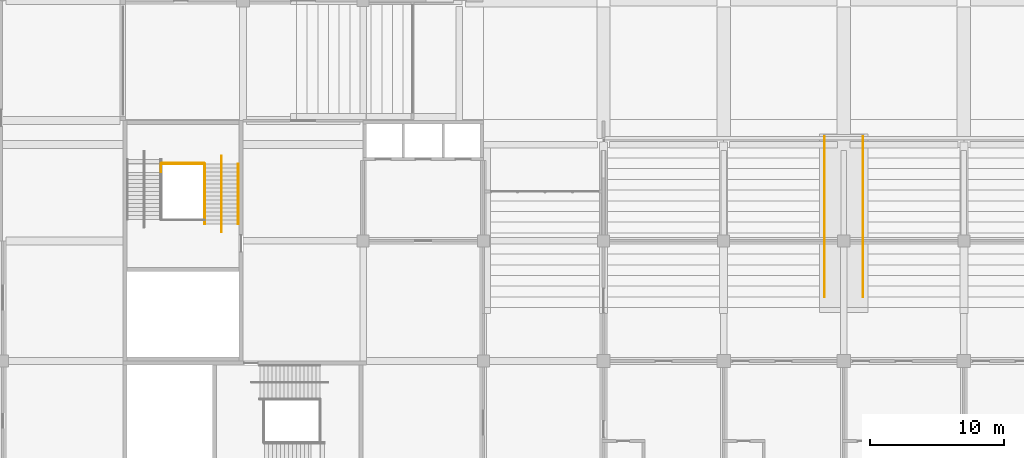
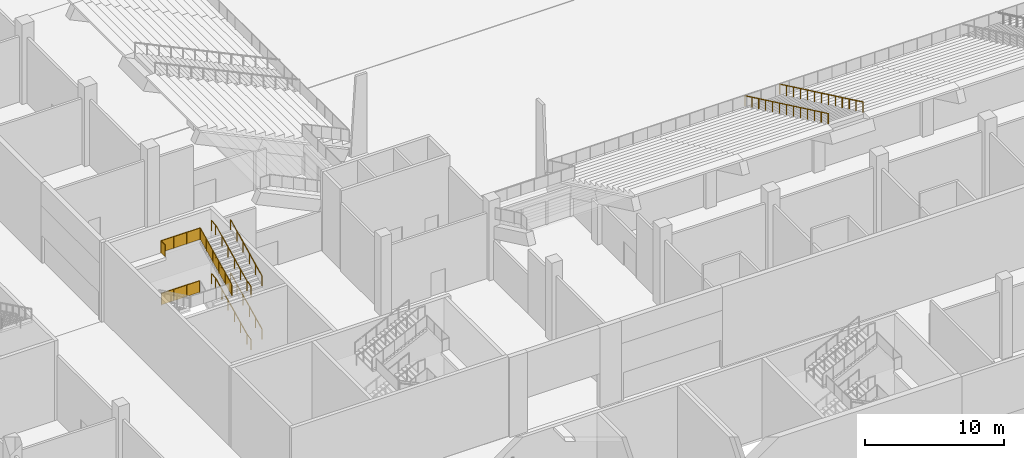
# One storey, part 60 of 92: 10 railings.
"""IFC4 building model written with IfcOpenShell, lengths in metres."""

import ifcopenshell
import ifcopenshell.guid

model = None  # the IFC model being written
_history = None  # IfcOwnerHistory: only IFC2X3 demands one
_inside = {}  # id of a spatial element -> (the spatial element, [elements in it])
_under = {}  # id of a project, library or spatial element -> (it, [spatial elements below it])
_declared = {}  # id of a project -> (the project, [libraries it declares])
_typed = {}  # id of a type object -> (the type object, [elements of that type])
_made_of = {}  # id of a material, layer set ... -> (it, [elements and type objects made of it])


def new_model(schema):
    """Start an empty IFC model of exactly this schema.

    Asked for "IFC4X3", IfcOpenShell would pick the latest addendum, in which some entities
    have other attributes; the version numbers below select the first issue.
    IFC2X3 requires an IfcOwnerHistory on every rooted entity: one is made here for all.
    """
    global model, _history
    if schema == "IFC4X3":
        model = ifcopenshell.file(schema_version=(4, 3, 0, 0))
    else:
        model = ifcopenshell.file(schema=schema)
    _inside.clear()
    _under.clear()
    _declared.clear()
    _typed.clear()
    _made_of.clear()
    _history = None
    if model.schema == "IFC2X3":
        org = make("IfcOrganization", Name="unknown")
        user = make(
            "IfcPersonAndOrganization",
            ThePerson=make("IfcPerson", FamilyName="unknown"),
            TheOrganization=org,
        )
        app = make(
            "IfcApplication",
            ApplicationDeveloper=org,
            Version="unknown",
            ApplicationFullName="unknown",
            ApplicationIdentifier="unknown",
        )
        _history = make(
            "IfcOwnerHistory",
            OwningUser=user,
            OwningApplication=app,
            ChangeAction="ADDED",
            CreationDate=0,
        )
    return model


def make(cls, **values):
    """One entity of the class cls with the attributes given. An attribute that is None is left unset."""
    return model.create_entity(
        cls, **{name: value for name, value in values.items() if value is not None}
    )


def rooted(cls, **values):
    """An entity with a GlobalId (a new one), such as an element, a storey or a relation."""
    return make(cls, GlobalId=ifcopenshell.guid.new(), OwnerHistory=_history, **values)


def si_unit(unit_type, name, prefix=None):
    """IfcSIUnit, for example si_unit("LENGTHUNIT", "METRE", prefix="MILLI")."""
    return make("IfcSIUnit", UnitType=unit_type, Prefix=prefix, Name=name)


def assignment(units):
    """IfcUnitAssignment: the units of a project."""
    return None if units is None else make("IfcUnitAssignment", Units=units)


def point(xyz):
    """IfcCartesianPoint."""
    return None if xyz is None else make("IfcCartesianPoint", Coordinates=xyz)


def direction(xyz):
    """IfcDirection."""
    return None if xyz is None else make("IfcDirection", DirectionRatios=xyz)


def frame(location, z_axis=None, x_axis=None):
    """IfcAxis2Placement3D, a coordinate frame: its origin and axes. An axis left out is left unset."""
    return make(
        "IfcAxis2Placement3D",
        Location=point(location),
        Axis=direction(z_axis),
        RefDirection=direction(x_axis),
    )


def frame_2d(location, x_axis=None):
    """IfcAxis2Placement2D, a coordinate frame in the plane: its origin and x axis."""
    return make(
        "IfcAxis2Placement2D", Location=point(location), RefDirection=direction(x_axis)
    )


def origin():
    """The frame at (0, 0, 0) with its axes left unset."""
    return frame((0.0, 0.0, 0.0))


def origin_2d():
    """The frame at (0, 0) in the plane with its x axis left unset."""
    return frame_2d((0.0, 0.0))


def place(relative_to, where):
    """IfcLocalPlacement: puts the frame where relative to a parent placement (None: the world)."""
    return make(
        "IfcLocalPlacement", PlacementRelTo=relative_to, RelativePlacement=where
    )


def context(
    kind, dimensions, precision=None, world=None, true_north=None, identifier=None
):
    """IfcGeometricRepresentationContext, for example the 3D "Model" context."""
    return make(
        "IfcGeometricRepresentationContext",
        ContextIdentifier=identifier,
        ContextType=kind,
        CoordinateSpaceDimension=dimensions,
        Precision=precision,
        WorldCoordinateSystem=world,
        TrueNorth=true_north,
    )


def subcontext(parent, identifier, kind, view, scale=None):
    """IfcGeometricRepresentationSubContext, for example "Body" below "Model"."""
    return make(
        "IfcGeometricRepresentationSubContext",
        ContextIdentifier=identifier,
        ContextType=kind,
        ParentContext=parent,
        TargetScale=scale,
        TargetView=view,
    )


def project(units=None, contexts=None):
    """IfcProject with its units and contexts."""
    return rooted(
        "IfcProject",
        Name="project",
        RepresentationContexts=contexts,
        UnitsInContext=assignment(units),
    )


def spatial(cls, under=None, at=None, **own):
    """A site, building, storey or space (cls), placed at a placement, below another one or the project."""
    s = rooted(cls, ObjectPlacement=at, **own)
    if under is not None:
        _under.setdefault(under.id(), (under, []))[1].append(s)
    return s


def polyline(points):
    """IfcPolyline through the points."""
    return make("IfcPolyline", Points=[point(p) for p in points])


def profile(cls, at=None, kind="AREA", **sizes):
    """A parametric profile (cls). Its sizes go by their IFC names, for example OverallWidth=200.0."""
    return make(cls, ProfileType=kind, Position=at, **sizes)


def circle(**sizes):
    """IfcCircleProfileDef."""
    return profile("IfcCircleProfileDef", **sizes)


def outline(outer, holes=None, kind="AREA"):
    """IfcArbitraryClosedProfileDef: a profile drawn as a closed curve; with holes, ...WithVoids."""
    if holes is None:
        return make("IfcArbitraryClosedProfileDef", ProfileType=kind, OuterCurve=outer)
    return make(
        "IfcArbitraryProfileDefWithVoids",
        ProfileType=kind,
        OuterCurve=outer,
        InnerCurves=holes,
    )


def extrude(swept, where, along, depth):
    """IfcExtrudedAreaSolid: the profile swept, set in the frame where, extruded along a direction by depth."""
    return make(
        "IfcExtrudedAreaSolid",
        SweptArea=swept,
        Position=where,
        ExtrudedDirection=direction(along),
        Depth=depth,
    )


def shape(context_of_items, identifier, shape_type, items):
    """IfcShapeRepresentation: the items that make up one representation, for example the "Body"."""
    return make(
        "IfcShapeRepresentation",
        ContextOfItems=context_of_items,
        RepresentationIdentifier=identifier,
        RepresentationType=shape_type,
        Items=items,
    )


def material(Name=None, Category=None):
    """IfcMaterial."""
    return make("IfcMaterial", Name=Name, Category=Category)


def made_of(thing, what):
    """Note that an element or type object is made of a material, layer set ...; save() writes the relation."""
    if what is not None:
        _made_of.setdefault(what.id(), (what, []))[1].append(thing)
    return thing


def type_object(cls, material=None, **own):
    """A type object (cls), such as IfcWallType, which elements share."""
    return made_of(rooted(cls, **own), material)


def element(
    cls,
    number,
    at=None,
    inside=None,
    cuts=None,
    type_object=None,
    material=None,
    context=None,
    identifier="Body",
    shape_type=None,
    held_by="IfcProductDefinitionShape",
    body=None,
    shapes=None,
    **own,
):
    """One element of the class cls, such as IfcWall. Its Tag is "e" and its number.

    at: its placement. inside: the storey or other place that contains it. cuts: it is an
    opening in that element (IfcRelVoidsElement). A single representation is given by context,
    identifier, shape_type and body (its items); several are given by shapes. held_by: the class
    of the entity that holds the representations. save() writes the other relations.
    """
    e = rooted(cls, Tag="e%d" % number, ObjectPlacement=at, **own)
    if body is not None:
        shapes = [shape(context, identifier, shape_type, body)]
    if shapes is not None:
        e.Representation = make(held_by, Representations=shapes)
    if inside is not None:
        _inside.setdefault(inside.id(), (inside, []))[1].append(e)
    if cuts is not None:
        rooted(
            "IfcRelVoidsElement", RelatingBuildingElement=cuts, RelatedOpeningElement=e
        )
    if type_object is not None:
        _typed.setdefault(type_object.id(), (type_object, []))[1].append(e)
    return made_of(e, material)


def aggregate(whole, parts):
    """IfcRelAggregates: a whole, such as a stair, and the parts it consists of."""
    return rooted("IfcRelAggregates", RelatingObject=whole, RelatedObjects=parts)


def save(model, path):
    """Write the relations noted so far, then the file.

    IfcRelAggregates (storeys below a building ...), IfcRelContainedInSpatialStructure (elements
    in a storey), IfcRelDefinesByType, IfcRelAssociatesMaterial and IfcRelDeclares: one each for
    every whole, place, type object, material and project.
    """
    for whole, parts in _under.values():
        aggregate(whole, parts)
    for where, things in _inside.values():
        rooted(
            "IfcRelContainedInSpatialStructure",
            RelatedElements=things,
            RelatingStructure=where,
        )
    for kind, things in _typed.values():
        rooted("IfcRelDefinesByType", RelatedObjects=things, RelatingType=kind)
    for what, things in _made_of.values():
        rooted("IfcRelAssociatesMaterial", RelatedObjects=things, RelatingMaterial=what)
    for by, libraries in _declared.values():
        rooted("IfcRelDeclares", RelatingContext=by, RelatedDefinitions=libraries)
    model.write(path)


model = new_model("IFC4")

# Units and contexts
model_context = context("Model", 3, precision=1e-05, world=origin(), true_north=direction((0.0, 1.0)))
body_context = subcontext(model_context, "Body", "Model", "MODEL_VIEW")
ifc_project = project(units=[si_unit("LENGTHUNIT", "METRE"), si_unit("AREAUNIT", "SQUARE_METRE"), si_unit("VOLUMEUNIT", "CUBIC_METRE"), si_unit("PLANEANGLEUNIT", "RADIAN"), si_unit("MASSUNIT", "GRAM", prefix="KILO")], contexts=[model_context])

# Site, building, storey
site_placement = place(None, origin())
site = spatial("IfcSite", under=ifc_project, at=site_placement, CompositionType="ELEMENT")
building_placement = place(site_placement, origin())
building = spatial("IfcBuilding", under=site, at=building_placement, Name="Silverbay Arena", CompositionType="ELEMENT")
storey_placement = place(building_placement, origin())
storey = spatial("IfcBuildingStorey", under=building, at=storey_placement, Name="L00", CompositionType="ELEMENT", Elevation=0.0)

# Railings
ifc_material_1 = material(Name="Stainless steel", Category="steel")
railing_type_1 = type_object("IfcRailingType", Name="Stair guard 1100", PredefinedType="GUARDRAIL", material=ifc_material_1)
railing_1_placement = place(storey_placement, frame((78.125, 55.2568359375, 4.8125)))
element("IfcRailing", 1, at=railing_1_placement, inside=storey, type_object=railing_type_1, Name="Stair ST-SW2 L00 to L01 flight 3 guard right", PredefinedType="GUARDRAIL", context=body_context, shape_type="SweptSolid", body=[
    extrude(circle(Radius=0.02392578125, at=origin_2d()), frame((0.0, 0.0, 1.076171875), z_axis=(0.0, 0.899367854138, 0.437192706873), x_axis=(-1.0, 0.0, 0.0)), (0.0, 0.0, 1.0), 5.00341796875),
    extrude(outline(polyline([(-0.008056640625, 0.046142578125), (0.907958984375, 0.491455078125), (0.907958984375, 1.494384765625), (-0.008056640625, 1.049072265625), (-0.008056640625, 0.046142578125)])), frame((-0.0029296875, 0.0, 0.0), z_axis=(1.0, 0.0, 0.0), x_axis=(0.0, 1.0, 0.0)), (0.0, 0.0, 1.0), 0.006103515625),
    extrude(outline(polyline([(-0.008056640625, 0.483642578125), (0.907958984375, 0.928955078125), (0.907958984375, 1.931884765625), (-0.008056640625, 1.486572265625), (-0.008056640625, 0.483642578125)])), frame((-0.0029296875, 0.89990234375, 0.0), z_axis=(1.0, 0.0, 0.0), x_axis=(0.0, 1.0, 0.0)), (0.0, 0.0, 1.0), 0.006103515625),
    extrude(outline(polyline([(-0.008056640625, 0.921142578125), (0.907958984375, 1.366455078125), (0.907958984375, 2.369384765625), (-0.008056640625, 1.924072265625), (-0.008056640625, 0.921142578125)])), frame((-0.0029296875, 1.800048828125, 0.0), z_axis=(1.0, 0.0, 0.0), x_axis=(0.0, 1.0, 0.0)), (0.0, 0.0, 1.0), 0.006103515625),
    extrude(outline(polyline([(-0.008056640625, 1.358642578125), (0.907958984375, 1.803955078125), (0.907958984375, 2.806884765625), (-0.008056640625, 2.361572265625), (-0.008056640625, 1.358642578125)])), frame((-0.0029296875, 2.699951171875, 0.0), z_axis=(1.0, 0.0, 0.0), x_axis=(0.0, 1.0, 0.0)), (0.0, 0.0, 1.0), 0.006103515625),
    extrude(outline(polyline([(-0.008056640625, 1.796142578125), (0.907958984375, 2.241455078125), (0.907958984375, 3.244384765625), (-0.008056640625, 2.799072265625), (-0.008056640625, 1.796142578125)])), frame((-0.0029296875, 3.60009765625, 0.0), z_axis=(1.0, 0.0, 0.0), x_axis=(0.0, 1.0, 0.0)), (0.0, 0.0, 1.0), 0.006103515625),
    extrude(circle(Radius=0.02099609375, at=origin_2d()), origin(), (0.0, 0.0, 1.0), 1.052001953125),
    extrude(circle(Radius=0.02099609375, at=origin_2d()), frame((0.0, 0.89990234375, 0.4375)), (0.0, 0.0, 1.0), 1.052001953125),
    extrude(circle(Radius=0.02099609375, at=origin_2d()), frame((0.0, 1.800048828125, 0.875)), (0.0, 0.0, 1.0), 1.052001953125),
    extrude(circle(Radius=0.02099609375, at=origin_2d()), frame((0.0, 2.699951171875, 1.3125)), (0.0, 0.0, 1.0), 1.052001953125),
    extrude(circle(Radius=0.02099609375, at=origin_2d()), frame((0.0, 3.60009765625, 1.75)), (0.0, 0.0, 1.0), 1.052001953125),
    extrude(circle(Radius=0.02099609375, at=origin_2d()), frame((0.0, 4.5, 2.1875)), (0.0, 0.0, 1.0), 1.052001953125),
])
railing_2_placement = place(storey_placement, frame((78.10009765625, 59.806884765625, 2.333251953125)))
element("IfcRailing", 2, at=railing_2_placement, inside=storey, type_object=railing_type_1, Name="Stair ST-SW2 L00 to L01 landing 1 guard", PredefinedType="GUARDRAIL", context=body_context, shape_type="SweptSolid", body=[
    extrude(circle(Radius=0.02392578125, at=origin_2d()), frame((0.0, 0.0, 1.076171875), z_axis=(-1.0, 0.0, 0.0), x_axis=(0.0, -1.0, 0.0)), (0.0, 0.0, 1.0), 3.2001953125),
    extrude(outline(polyline([(-0.008056640625, 0.050048828125), (1.07470703125, 0.050048828125), (1.07470703125, 1.052978515625), (-0.008056640625, 1.052978515625), (-0.008056640625, 0.050048828125)])), frame((0.0, -0.0029296875, 0.0), z_axis=(0.0, 1.0, 0.0), x_axis=(-1.0, 0.0, 0.0)), (0.0, 0.0, 1.0), 0.006103515625),
    extrude(outline(polyline([(-0.008056640625, 0.050048828125), (1.07470703125, 0.050048828125), (1.07470703125, 1.052978515625), (-0.008056640625, 1.052978515625), (-0.008056640625, 0.050048828125)])), frame((-1.066650390625, -0.0029296875, 0.0), z_axis=(0.0, 1.0, 0.0), x_axis=(-1.0, 0.0, 0.0)), (0.0, 0.0, 1.0), 0.006103515625),
    extrude(outline(polyline([(-0.008056640625, 0.050048828125), (1.07470703125, 0.050048828125), (1.07470703125, 1.052978515625), (-0.008056640625, 1.052978515625), (-0.008056640625, 0.050048828125)])), frame((-2.133544921875, -0.0029296875, 0.0), z_axis=(0.0, 1.0, 0.0), x_axis=(-1.0, 0.0, 0.0)), (0.0, 0.0, 1.0), 0.006103515625),
    extrude(circle(Radius=0.02099609375, at=origin_2d()), origin(), (0.0, 0.0, 1.0), 1.052001953125),
    extrude(circle(Radius=0.02099609375, at=origin_2d()), frame((-1.066650390625, 0.0, 0.0)), (0.0, 0.0, 1.0), 1.052001953125),
    extrude(circle(Radius=0.02099609375, at=origin_2d()), frame((-2.133544921875, 0.0, 0.0)), (0.0, 0.0, 1.0), 1.052001953125),
    extrude(circle(Radius=0.02099609375, at=origin_2d()), frame((-3.2001953125, 0.0, 0.0)), (0.0, 0.0, 1.0), 1.052001953125),
])
railing_3_placement = place(storey_placement, frame((74.85009765625, 59.14990234375, 7.0)))
element("IfcRailing", 3, at=railing_3_placement, inside=storey, type_object=railing_type_1, Name="Stair ST-SW2 L00 to L01 landing 3 guard", PredefinedType="GUARDRAIL", context=body_context, shape_type="SweptSolid", body=[
    extrude(circle(Radius=0.02392578125, at=origin_2d()), frame((0.0, 0.0, 1.076171875), z_axis=(0.0, 1.0, 0.0), x_axis=(-1.0, 0.0, 0.0)), (0.0, 0.0, 1.0), 0.60693359375),
    extrude(outline(polyline([(-0.008056640625, 0.050048828125), (0.614990234375, 0.050048828125), (0.614990234375, 1.052978515625), (-0.008056640625, 1.052978515625), (-0.008056640625, 0.050048828125)])), frame((-0.0029296875, 0.0, 0.0), z_axis=(1.0, 0.0, 0.0), x_axis=(0.0, 1.0, 0.0)), (0.0, 0.0, 1.0), 0.006103515625),
    extrude(circle(Radius=0.02392578125, at=origin_2d()), frame((0.0, 0.60693359375, 1.076171875), z_axis=(1.0, 0.0, 0.0), x_axis=(0.0, 1.0, 0.0)), (0.0, 0.0, 1.0), 3.25),
    extrude(outline(polyline([(-0.008056640625, 0.050048828125), (1.09130859375, 0.050048828125), (1.09130859375, 1.052978515625), (-0.008056640625, 1.052978515625), (-0.008056640625, 0.050048828125)])), frame((0.0, 0.60986328125, 0.0), z_axis=(0.0, -1.0, 0.0), x_axis=(1.0, 0.0, 0.0)), (0.0, 0.0, 1.0), 0.006103515625),
    extrude(outline(polyline([(-0.008056640625, 0.050048828125), (1.09130859375, 0.050048828125), (1.09130859375, 1.052978515625), (-0.008056640625, 1.052978515625), (-0.008056640625, 0.050048828125)])), frame((1.083251953125, 0.60986328125, 0.0), z_axis=(0.0, -1.0, 0.0), x_axis=(1.0, 0.0, 0.0)), (0.0, 0.0, 1.0), 0.006103515625),
    extrude(outline(polyline([(-0.008056640625, 0.050048828125), (1.09130859375, 0.050048828125), (1.09130859375, 1.052978515625), (-0.008056640625, 1.052978515625), (-0.008056640625, 0.050048828125)])), frame((2.166748046875, 0.60986328125, 0.0), z_axis=(0.0, -1.0, 0.0), x_axis=(1.0, 0.0, 0.0)), (0.0, 0.0, 1.0), 0.006103515625),
    extrude(circle(Radius=0.02099609375, at=origin_2d()), origin(), (0.0, 0.0, 1.0), 1.052001953125),
    extrude(circle(Radius=0.02099609375, at=origin_2d()), frame((0.0, 0.60693359375, 0.0)), (0.0, 0.0, 1.0), 1.052001953125),
    extrude(circle(Radius=0.02099609375, at=origin_2d()), frame((1.083251953125, 0.60693359375, 0.0)), (0.0, 0.0, 1.0), 1.052001953125),
    extrude(circle(Radius=0.02099609375, at=origin_2d()), frame((2.166748046875, 0.60693359375, 0.0)), (0.0, 0.0, 1.0), 1.052001953125),
    extrude(circle(Radius=0.02099609375, at=origin_2d()), frame((3.25, 0.60693359375, 0.0)), (0.0, 0.0, 1.0), 1.052001953125),
])
ifc_material_2 = material(Name="Stainless steel", Category="steel")
railing_type_2 = type_object("IfcRailingType", Name="Stair handrail 900", PredefinedType="HANDRAIL", material=ifc_material_2)
railing_4_placement = place(storey_placement, frame((80.64990234375, 55.2568359375, 0.145751953125)))
element("IfcRailing", 4, at=railing_4_placement, inside=storey, type_object=railing_type_2, Name="Stair ST-SW2 L00 to L01 flight 1 handrail left", PredefinedType="HANDRAIL", context=body_context, shape_type="SweptSolid", body=[
    extrude(circle(Radius=0.02392578125, at=origin_2d()), frame((0.0, 0.0, 0.8759765625), z_axis=(0.0, 0.899367854138, 0.437192706873), x_axis=(-1.0, 0.0, 0.0)), (0.0, 0.0, 1.0), 5.00341796875),
    extrude(circle(Radius=0.02099609375, at=origin_2d()), origin(), (0.0, 0.0, 1.0), 0.851806640625),
    extrude(circle(Radius=0.02099609375, at=origin_2d()), frame((0.0, 0.89990234375, 0.4375)), (0.0, 0.0, 1.0), 0.851806640625),
    extrude(circle(Radius=0.02099609375, at=origin_2d()), frame((0.0, 1.800048828125, 0.875)), (0.0, 0.0, 1.0), 0.851806640625),
    extrude(circle(Radius=0.02099609375, at=origin_2d()), frame((0.0, 2.699951171875, 1.3125)), (0.0, 0.0, 1.0), 0.851806640625),
    extrude(circle(Radius=0.02099609375, at=origin_2d()), frame((0.0, 3.60009765625, 1.75)), (0.0, 0.0, 1.0), 0.851806640625),
    extrude(circle(Radius=0.02099609375, at=origin_2d()), frame((0.0, 4.5, 2.1875)), (0.0, 0.0, 1.0), 0.851806640625),
])
railing_5_placement = place(storey_placement, frame((79.39990234375, 54.656982421875, 0.0)))
element("IfcRailing", 5, at=railing_5_placement, inside=storey, type_object=railing_type_2, Name="Stair ST-SW2 L00 to L01 flight 1 central handrail", PredefinedType="HANDRAIL", context=body_context, shape_type="SweptSolid", body=[
    extrude(circle(Radius=0.02392578125, at=origin_2d()), frame((0.0, 0.0, 0.8759765625), z_axis=(0.0, 0.971726487806, 0.23610936639), x_axis=(-1.0, 0.0, 0.0)), (0.0, 0.0, 1.0), 0.6171875),
    extrude(circle(Radius=0.02392578125, at=origin_2d()), frame((0.0, 0.599853515625, 1.021484375), z_axis=(0.0, 0.899367854138, 0.437192706873), x_axis=(-1.0, 0.0, 0.0)), (0.0, 0.0, 1.0), 5.00341796875),
    extrude(circle(Radius=0.02392578125, at=origin_2d()), frame((0.0, 5.099853515625, 3.208984375), z_axis=(0.0, 1.0, 0.0), x_axis=(-1.0, 0.0, 0.0)), (0.0, 0.0, 1.0), 0.60009765625),
    extrude(circle(Radius=0.02099609375, at=origin_2d()), origin(), (0.0, 0.0, 1.0), 0.851806640625),
    extrude(circle(Radius=0.02099609375, at=origin_2d()), frame((0.0, 0.599853515625, 0.145751953125)), (0.0, 0.0, 1.0), 0.851806640625),
    extrude(circle(Radius=0.02099609375, at=origin_2d()), frame((0.0, 1.499755859375, 0.583251953125)), (0.0, 0.0, 1.0), 0.851806640625),
    extrude(circle(Radius=0.02099609375, at=origin_2d()), frame((0.0, 2.39990234375, 1.020751953125)), (0.0, 0.0, 1.0), 0.851806640625),
    extrude(circle(Radius=0.02099609375, at=origin_2d()), frame((0.0, 3.2998046875, 1.458251953125)), (0.0, 0.0, 1.0), 0.851806640625),
    extrude(circle(Radius=0.02099609375, at=origin_2d()), frame((0.0, 4.199951171875, 1.895751953125)), (0.0, 0.0, 1.0), 0.851806640625),
    extrude(circle(Radius=0.02099609375, at=origin_2d()), frame((0.0, 5.099853515625, 2.333251953125)), (0.0, 0.0, 1.0), 0.851806640625),
    extrude(circle(Radius=0.02099609375, at=origin_2d()), frame((0.0, 5.699951171875, 2.333251953125)), (0.0, 0.0, 1.0), 0.851806640625),
])
for number, where, name in (
    (6, (80.64990234375, 55.2568359375, 4.8125), "Stair ST-SW2 L00 to L01 flight 3 handrail left"),
    (7, (78.1640625, 55.2568359375, 4.8125), "Stair ST-SW2 L00 to L01 flight 3 handrail right"),
):
    element("IfcRailing", number, at=place(storey_placement, frame(where)), inside=storey, type_object=railing_type_2, Name=name, PredefinedType="HANDRAIL", context=body_context, shape_type="SweptSolid", body=[
        extrude(circle(Radius=0.02392578125, at=origin_2d()), frame((0.0, 0.0, 0.8759765625), z_axis=(0.0, 0.899367854138, 0.437192706873), x_axis=(-1.0, 0.0, 0.0)), (0.0, 0.0, 1.0), 5.00341796875),
        extrude(circle(Radius=0.02099609375, at=origin_2d()), origin(), (0.0, 0.0, 1.0), 0.851806640625),
        extrude(circle(Radius=0.02099609375, at=origin_2d()), frame((0.0, 0.89990234375, 0.4375)), (0.0, 0.0, 1.0), 0.851806640625),
        extrude(circle(Radius=0.02099609375, at=origin_2d()), frame((0.0, 1.800048828125, 0.875)), (0.0, 0.0, 1.0), 0.851806640625),
        extrude(circle(Radius=0.02099609375, at=origin_2d()), frame((0.0, 2.699951171875, 1.3125)), (0.0, 0.0, 1.0), 0.851806640625),
        extrude(circle(Radius=0.02099609375, at=origin_2d()), frame((0.0, 3.60009765625, 1.75)), (0.0, 0.0, 1.0), 0.851806640625),
        extrude(circle(Radius=0.02099609375, at=origin_2d()), frame((0.0, 4.5, 2.1875)), (0.0, 0.0, 1.0), 0.851806640625),
    ])
railing_6_placement = place(storey_placement, frame((79.39990234375, 54.656982421875, 4.666748046875)))
element("IfcRailing", 8, at=railing_6_placement, inside=storey, type_object=railing_type_2, Name="Stair ST-SW2 L00 to L01 flight 3 central handrail", PredefinedType="HANDRAIL", context=body_context, shape_type="SweptSolid", body=[
    extrude(circle(Radius=0.02392578125, at=origin_2d()), frame((0.0, 0.0, 0.8759765625), z_axis=(0.0, 0.971726487806, 0.23610936639), x_axis=(-1.0, 0.0, 0.0)), (0.0, 0.0, 1.0), 0.6171875),
    extrude(circle(Radius=0.02392578125, at=origin_2d()), frame((0.0, 0.599853515625, 1.021484375), z_axis=(0.0, 0.899367854138, 0.437192706873), x_axis=(-1.0, 0.0, 0.0)), (0.0, 0.0, 1.0), 5.00341796875),
    extrude(circle(Radius=0.02392578125, at=origin_2d()), frame((0.0, 5.099853515625, 3.208984375), z_axis=(0.0, 1.0, 0.0), x_axis=(-1.0, 0.0, 0.0)), (0.0, 0.0, 1.0), 0.60009765625),
    extrude(circle(Radius=0.02099609375, at=origin_2d()), origin(), (0.0, 0.0, 1.0), 0.851806640625),
    extrude(circle(Radius=0.02099609375, at=origin_2d()), frame((0.0, 0.599853515625, 0.145751953125)), (0.0, 0.0, 1.0), 0.851806640625),
    extrude(circle(Radius=0.02099609375, at=origin_2d()), frame((0.0, 1.499755859375, 0.583251953125)), (0.0, 0.0, 1.0), 0.851806640625),
    extrude(circle(Radius=0.02099609375, at=origin_2d()), frame((0.0, 2.39990234375, 1.020751953125)), (0.0, 0.0, 1.0), 0.851806640625),
    extrude(circle(Radius=0.02099609375, at=origin_2d()), frame((0.0, 3.2998046875, 1.458251953125)), (0.0, 0.0, 1.0), 0.851806640625),
    extrude(circle(Radius=0.02099609375, at=origin_2d()), frame((0.0, 4.199951171875, 1.895751953125)), (0.0, 0.0, 1.0), 0.851806640625),
    extrude(circle(Radius=0.02099609375, at=origin_2d()), frame((0.0, 5.099853515625, 2.333251953125)), (0.0, 0.0, 1.0), 0.851806640625),
    extrude(circle(Radius=0.02099609375, at=origin_2d()), frame((0.0, 5.699951171875, 2.333251953125)), (0.0, 0.0, 1.0), 0.851806640625),
])
railing_7_placement = place(storey_placement, frame((124.550048828125, 61.800048828125, 1.300048828125)))
element("IfcRailing", 9, at=railing_7_placement, inside=storey, type_object=railing_type_2, Name="Vomitory stair V01 handrail left", PredefinedType="HANDRAIL", context=body_context, shape_type="SweptSolid", body=[
    extrude(circle(Radius=0.02392578125, at=origin_2d()), frame((0.0, 0.0, 0.8759765625), z_axis=(0.0, -0.903278928798, 0.429053815727), x_axis=(1.0, 0.0, 0.0)), (0.0, 0.0, 1.0), 13.284912109375),
    extrude(circle(Radius=0.02099609375, at=origin_2d()), origin(), (0.0, 0.0, 1.0), 0.851806640625),
    extrude(circle(Radius=0.02099609375, at=origin_2d()), frame((0.0, -1.0, 0.47509765625)), (0.0, 0.0, 1.0), 0.851806640625),
    extrude(circle(Radius=0.02099609375, at=origin_2d()), frame((0.0, -2.0, 0.949951171875)), (0.0, 0.0, 1.0), 0.851806640625),
    extrude(circle(Radius=0.02099609375, at=origin_2d()), frame((0.0, -3.0, 1.425048828125)), (0.0, 0.0, 1.0), 0.851806640625),
    extrude(circle(Radius=0.02099609375, at=origin_2d()), frame((0.0, -4.0, 1.89990234375)), (0.0, 0.0, 1.0), 0.851806640625),
    extrude(circle(Radius=0.02099609375, at=origin_2d()), frame((0.0, -5.0, 2.375)), (0.0, 0.0, 1.0), 0.851806640625),
    extrude(circle(Radius=0.02099609375, at=origin_2d()), frame((0.0, -6.0, 2.85009765625)), (0.0, 0.0, 1.0), 0.851806640625),
    extrude(circle(Radius=0.02099609375, at=origin_2d()), frame((0.0, -7.0, 3.324951171875)), (0.0, 0.0, 1.0), 0.851806640625),
    extrude(circle(Radius=0.02099609375, at=origin_2d()), frame((0.0, -8.0, 3.800048828125)), (0.0, 0.0, 1.0), 0.851806640625),
    extrude(circle(Radius=0.02099609375, at=origin_2d()), frame((0.0, -9.0, 4.27490234375)), (0.0, 0.0, 1.0), 0.851806640625),
    extrude(circle(Radius=0.02099609375, at=origin_2d()), frame((0.0, -10.0, 4.75)), (0.0, 0.0, 1.0), 0.851806640625),
    extrude(circle(Radius=0.02099609375, at=origin_2d()), frame((0.0, -11.0, 5.224853515625)), (0.0, 0.0, 1.0), 0.851806640625),
    extrude(circle(Radius=0.02099609375, at=origin_2d()), frame((0.0, -12.0, 5.699951171875)), (0.0, 0.0, 1.0), 0.851806640625),
])
railing_8_placement = place(storey_placement, frame((127.449951171875, 61.800048828125, 1.300048828125)))
element("IfcRailing", 10, at=railing_8_placement, inside=storey, type_object=railing_type_2, Name="Vomitory stair V01 handrail right", PredefinedType="HANDRAIL", context=body_context, shape_type="SweptSolid", body=[
    extrude(circle(Radius=0.02392578125, at=origin_2d()), frame((0.0, 0.0, 0.8759765625), z_axis=(0.0, -0.903278928798, 0.429053815727), x_axis=(1.0, 0.0, 0.0)), (0.0, 0.0, 1.0), 13.284912109375),
    extrude(circle(Radius=0.02099609375, at=origin_2d()), origin(), (0.0, 0.0, 1.0), 0.851806640625),
    extrude(circle(Radius=0.02099609375, at=origin_2d()), frame((0.0, -1.0, 0.47509765625)), (0.0, 0.0, 1.0), 0.851806640625),
    extrude(circle(Radius=0.02099609375, at=origin_2d()), frame((0.0, -2.0, 0.949951171875)), (0.0, 0.0, 1.0), 0.851806640625),
    extrude(circle(Radius=0.02099609375, at=origin_2d()), frame((0.0, -3.0, 1.425048828125)), (0.0, 0.0, 1.0), 0.851806640625),
    extrude(circle(Radius=0.02099609375, at=origin_2d()), frame((0.0, -4.0, 1.89990234375)), (0.0, 0.0, 1.0), 0.851806640625),
    extrude(circle(Radius=0.02099609375, at=origin_2d()), frame((0.0, -5.0, 2.375)), (0.0, 0.0, 1.0), 0.851806640625),
    extrude(circle(Radius=0.02099609375, at=origin_2d()), frame((0.0, -6.0, 2.85009765625)), (0.0, 0.0, 1.0), 0.851806640625),
    extrude(circle(Radius=0.02099609375, at=origin_2d()), frame((0.0, -7.0, 3.324951171875)), (0.0, 0.0, 1.0), 0.851806640625),
    extrude(circle(Radius=0.02099609375, at=origin_2d()), frame((0.0, -8.0, 3.800048828125)), (0.0, 0.0, 1.0), 0.851806640625),
    extrude(circle(Radius=0.02099609375, at=origin_2d()), frame((0.0, -9.0, 4.27490234375)), (0.0, 0.0, 1.0), 0.851806640625),
    extrude(circle(Radius=0.02099609375, at=origin_2d()), frame((0.0, -10.0, 4.75)), (0.0, 0.0, 1.0), 0.851806640625),
    extrude(circle(Radius=0.02099609375, at=origin_2d()), frame((0.0, -11.0, 5.224853515625)), (0.0, 0.0, 1.0), 0.851806640625),
    extrude(circle(Radius=0.02099609375, at=origin_2d()), frame((0.0, -12.0, 5.699951171875)), (0.0, 0.0, 1.0), 0.851806640625),
])

save(model, "model.ifc")
